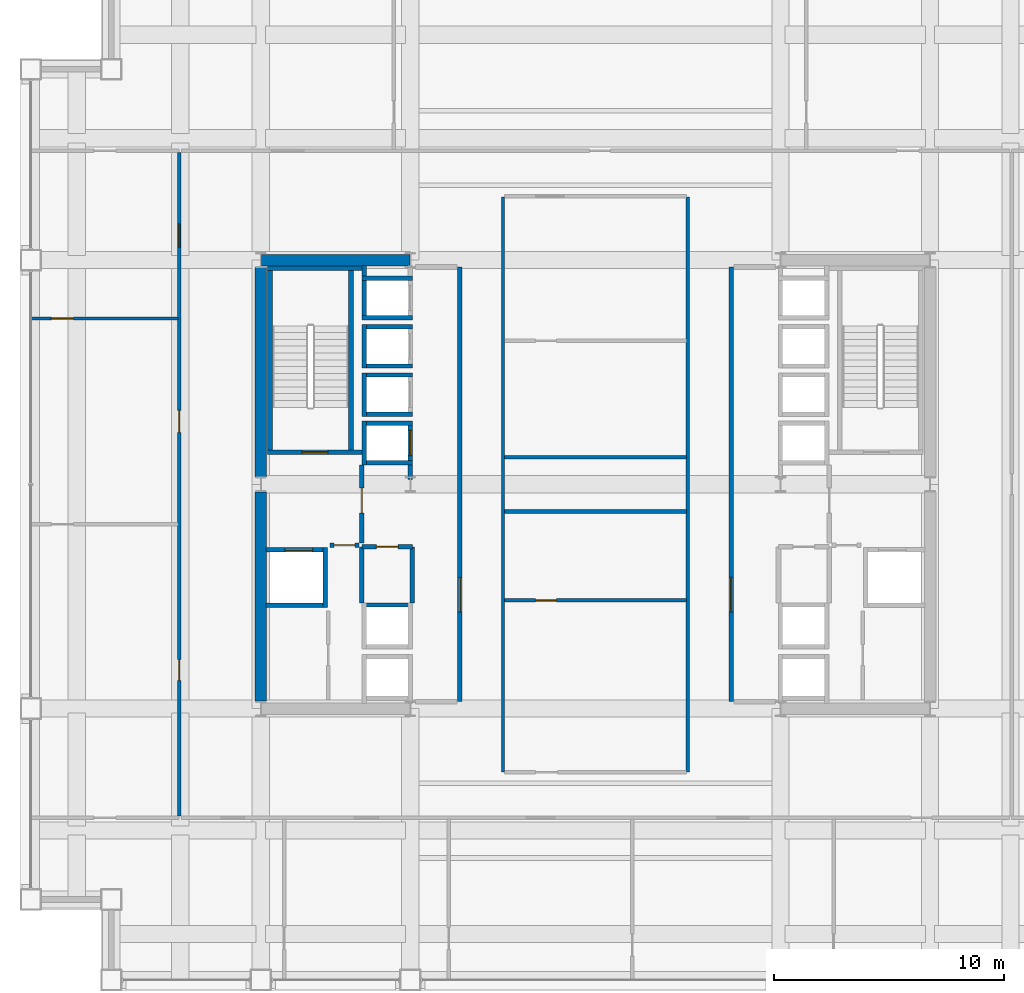
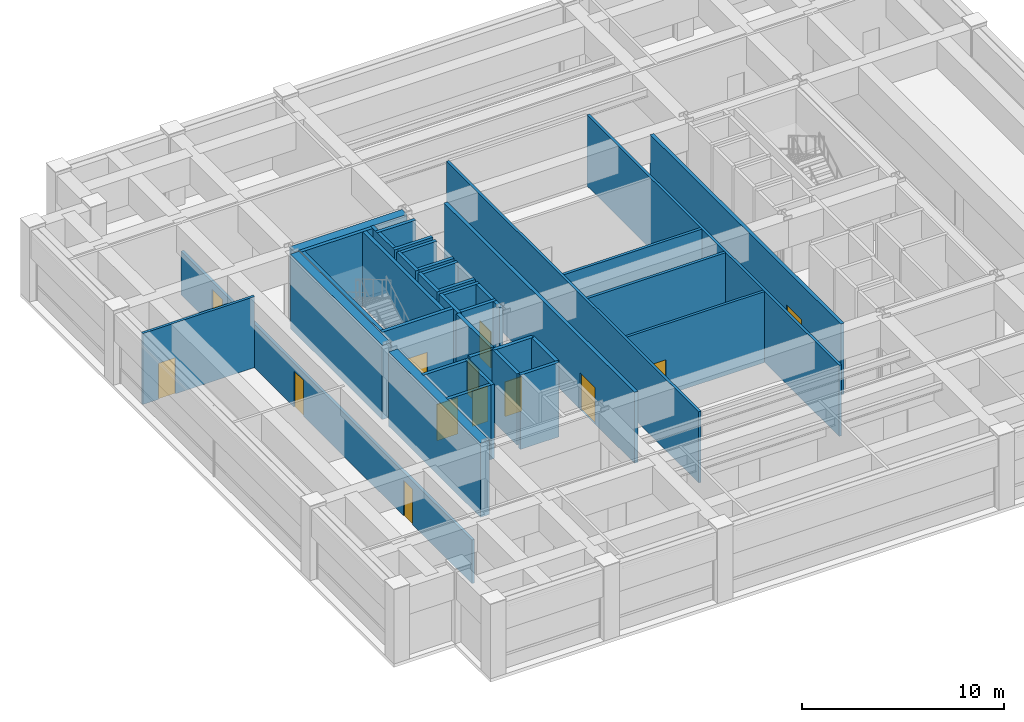
# One storey, part 26 of 29: 38 walls, 13 doors, 13 openings.
"""IFC4 building model written with IfcOpenShell, lengths in metres."""

from ifc_helpers import new_model, si_unit, direction, frame, frame_2d, origin, place, context, subcontext, project, spatial, rectangle, extrude, material, layer, layer_set, type_object, element, fill, save


model = new_model("IFC4")

# Units and contexts
model_context = context("Model", 3, precision=1e-05, world=origin(), true_north=direction((0.0, 1.0)))
body_context = subcontext(model_context, "Body", "Model", "MODEL_VIEW")
ifc_project = project(units=[si_unit("LENGTHUNIT", "METRE"), si_unit("AREAUNIT", "SQUARE_METRE"), si_unit("VOLUMEUNIT", "CUBIC_METRE"), si_unit("PLANEANGLEUNIT", "RADIAN"), si_unit("MASSUNIT", "GRAM", prefix="KILO")], contexts=[model_context])

# Site, building, storey
site_placement = place(None, origin())
site = spatial("IfcSite", under=ifc_project, at=site_placement, CompositionType="ELEMENT")
building_placement = place(site_placement, origin())
building = spatial("IfcBuilding", under=site, at=building_placement, Name="Brelmoor Portico Tower", CompositionType="ELEMENT")
storey_placement = place(building_placement, frame((0.0, 0.0, 82.800048828125)))
storey = spatial("IfcBuildingStorey", under=building, at=storey_placement, Name="L21", CompositionType="ELEMENT", Elevation=82.800048828125)

# Walls
ifc_material_1 = material(Name="Concrete C60", Category="concrete")
ifc_layer_1 = layer(ifc_material_1, 0.5)
ifc_layer_set_1 = layer_set([ifc_layer_1], Name="Concrete C60")
wall_type_1 = type_object("IfcWallType", Name="WL-CORE-500", PredefinedType="SHEAR", material=ifc_layer_set_1)
wall_1_placement = place(storey_placement, frame((-14.530029296875, 9.75, -0.199951171875), z_axis=(0.0, 0.0, 1.0), x_axis=(1.0, 0.0, 0.0)))
element("IfcWall", 1, at=wall_1_placement, inside=storey, type_object=wall_type_1, Name="L21 WC North Shear Wall", PredefinedType="SHEAR", context=body_context, shape_type="SweptSolid", body=[
    extrude(rectangle(XDim=6.4599609375, YDim=0.5, at=frame_2d((3.22998046875, 0.0))), origin(), (0.0, 0.0, 1.0), 4.5),
])
for number, where, z_axis, x_axis, name in (
    (2, (-14.550048828125, -9.425048828125, -0.199951171875), (0.0, 0.0, 1.0), (0.0, 1.0, 0.0), "L21 WC Outer South Shear Wall"),
    (3, (-14.550048828125, 0.324951171875, -0.199951171875), (0.0, 0.0, 1.0), (0.0, 1.0, 0.0), "L21 WC Outer North Shear Wall"),
):
    element("IfcWall", number, at=place(storey_placement, frame(where, z_axis=z_axis, x_axis=x_axis)), inside=storey, type_object=wall_type_1, Name=name, PredefinedType="SHEAR", context=body_context, shape_type="SweptSolid", body=[
        extrude(rectangle(XDim=9.10009765625, YDim=0.5, at=frame_2d((4.550048828125, 0.0))), origin(), (0.0, 0.0, 1.0), 4.5),
    ])
ifc_material_2 = material(Name="Wet-Area Moisture-Resistant Partition", Category="gypsum")
ifc_layer_2 = layer(ifc_material_2, 0.14990234375)
ifc_layer_set_2 = layer_set([ifc_layer_2], Name="Wet-Area Moisture-Resistant Partition")
wall_type_2 = type_object("IfcWallType", Name="WL-PART-150", PredefinedType="PARTITIONING", material=ifc_layer_set_2)
for number, where, z_axis, x_axis, name in (
    (4, (-4.02001953125, -12.5, 0.0), (0.0, 0.0, 1.0), (0.0, 1.0, 0.0), "L21 Central Suite West Wall"),
    (5, (4.02001953125, -12.5, 0.0), (0.0, 0.0, 1.0), (0.0, 1.0, 0.0), "L21 Central Suite East Wall"),
):
    element("IfcWall", number, at=place(storey_placement, frame(where, z_axis=z_axis, x_axis=x_axis)), inside=storey, type_object=wall_type_2, Name=name, PredefinedType="PARTITIONING", context=body_context, shape_type="SweptSolid", body=[
        extrude(rectangle(XDim=25.0, YDim=0.14990234375, at=frame_2d((12.5, 0.0))), origin(), (0.0, 0.0, 1.0), 4.300048828125),
    ])

# Wall, opening, door
wall_2_placement = place(storey_placement, frame((-3.949951171875, -5.050048828125, 0.0), z_axis=(0.0, 0.0, 1.0), x_axis=(1.0, 0.0, 0.0)))
wall_2 = element("IfcWall", 6, at=wall_2_placement, inside=storey, type_object=wall_type_2, Name="L21 Central Print Divider", PredefinedType="PARTITIONING", context=body_context, shape_type="SweptSolid", body=[
    extrude(rectangle(XDim=7.89990234375, YDim=0.14990234375, at=frame_2d((3.949951171875, 0.0))), origin(), (0.0, 0.0, 1.0), 4.300048828125),
])
opening_1_placement = place(wall_2_placement, frame((1.35009765625, 0.0, 0.0)))
opening_1 = element("IfcOpeningElement", 7, at=opening_1_placement, cuts=wall_2, Name="Opening D-IN1", PredefinedType="OPENING", context=body_context, shape_type="SweptSolid", body=[
    extrude(rectangle(XDim=0.89990234375, YDim=2.14990234375, at=frame_2d((0.449951171875, 1.074951171875))), frame((0.0, 0.0849609375, 0.0), z_axis=(0.0, -1.0, 0.0), x_axis=(1.0, 0.0, 0.0)), (0.0, 0.0, 1.0), 0.169921875),
])
ifc_material_3 = material(Name="Lacquered Timber Suite Door", Category="wood")
door_type_1 = type_object("IfcDoorType", Name="DR-INT-900", OperationType="NOTDEFINED", PredefinedType="DOOR", material=ifc_material_3)
door_1_placement = place(opening_1_placement, origin())
door_1 = element("IfcDoor", 8, at=door_1_placement, inside=storey, type_object=door_type_1, Name="D-0930 L21 Central Print Studio Door", OperationType="SINGLE_SWING_RIGHT", OverallHeight=2.14990234375, OverallWidth=0.89990234375, PredefinedType="DOOR", context=body_context, shape_type="SweptSolid", body=[
    extrude(rectangle(XDim=0.89990234375, YDim=2.14990234375, at=frame_2d((0.449951171875, 1.074951171875))), frame((0.0, 0.02490234375, 0.0), z_axis=(0.0, -1.0, 0.0), x_axis=(1.0, 0.0, 0.0)), (0.0, 0.0, 1.0), 0.050048828125),
])
fill(opening_1, door_1)

wall_3_placement = place(storey_placement, frame((-24.56005859375, 7.2099609375, 0.0), z_axis=(0.0, 0.0, 1.0), x_axis=(1.0, 0.0, 0.0)))
wall_3 = element("IfcWall", 9, at=wall_3_placement, inside=storey, type_object=wall_type_2, Name="L21 W Wing Partition 2", PredefinedType="PARTITIONING", context=body_context, shape_type="SweptSolid", body=[
    extrude(rectangle(XDim=6.400146484375, YDim=0.14990234375, at=frame_2d((3.2001953125, 0.0))), origin(), (0.0, 0.0, 1.0), 4.300048828125),
])
opening_2_placement = place(wall_3_placement, frame((0.89990234375, 0.0, 0.0)))
opening_2 = element("IfcOpeningElement", 10, at=opening_2_placement, cuts=wall_3, Name="Opening D-IN2", PredefinedType="OPENING", context=body_context, shape_type="SweptSolid", body=[
    extrude(rectangle(XDim=0.9599609375, YDim=2.179931640625, at=frame_2d((0.47998046875, 1.08984375))), frame((0.0, 0.0849609375, 0.0), z_axis=(0.0, -1.0, 0.0), x_axis=(1.0, 0.0, 0.0)), (0.0, 0.0, 1.0), 0.169921875),
])
door_type_2 = type_object("IfcDoorType", Name="DR-INT-950", OperationType="NOTDEFINED", PredefinedType="DOOR", material=ifc_material_3)
door_2_placement = place(opening_2_placement, origin())
door_2 = element("IfcDoor", 11, at=door_2_placement, inside=storey, type_object=door_type_2, Name="D-0966 L21 W Wing Suite Connecting Door 2", OperationType="SINGLE_SWING_RIGHT", OverallHeight=2.179931640625, OverallWidth=0.9599609375, PredefinedType="DOOR", context=body_context, shape_type="SweptSolid", body=[
    extrude(rectangle(XDim=0.9599609375, YDim=2.179931640625, at=frame_2d((0.47998046875, 1.08984375))), frame((0.0, 0.02490234375, 0.0), z_axis=(0.0, -1.0, 0.0), x_axis=(1.0, 0.0, 0.0)), (0.0, 0.0, 1.0), 0.050048828125),
])
fill(opening_2, door_2)

# Walls
ifc_material_4 = material(Name="Twin-Frame Acoustic Partition", Category="gypsum")
ifc_layer_3 = layer(ifc_material_4, 0.159912109375)
ifc_layer_set_3 = layer_set([ifc_layer_3], Name="Twin-Frame Acoustic Partition")
wall_type_3 = type_object("IfcWallType", Name="WL-PART-160", PredefinedType="PARTITIONING", material=ifc_layer_set_3)
for number, where, z_axis, x_axis, name in (
    (12, (-3.949951171875, 1.179931640625, 0.0), (0.0, 0.0, 1.0), (1.0, 0.0, 0.0), "L21 Central Meeting South Wall"),
    (13, (-3.949951171875, -1.179931640625, 0.0), (0.0, 0.0, 1.0), (1.0, 0.0, 0.0), "L21 Central Pantry North Wall"),
):
    element("IfcWall", number, at=place(storey_placement, frame(where, z_axis=z_axis, x_axis=x_axis)), inside=storey, type_object=wall_type_3, Name=name, PredefinedType="PARTITIONING", context=body_context, shape_type="SweptSolid", body=[
        extrude(rectangle(XDim=7.89990234375, YDim=0.159912109375, at=frame_2d((3.949951171875, 0.0))), origin(), (0.0, 0.0, 1.0), 4.300048828125),
    ])

# Wall, openings, doors
wall_4_placement = place(storey_placement, frame((-18.10009765625, -14.419921875, 0.0), z_axis=(0.0, 0.0, 1.0), x_axis=(0.0, 1.0, 0.0)))
wall_4 = element("IfcWall", 14, at=wall_4_placement, inside=storey, type_object=wall_type_3, Name="L21 W Wing Corridor Wall", PredefinedType="PARTITIONING", context=body_context, shape_type="SweptSolid", body=[
    extrude(rectangle(XDim=28.83984375, YDim=0.159912109375, at=frame_2d((14.419921875, 0.0))), origin(), (0.0, 0.0, 1.0), 2.639892578125),
])
opening_3_placement = place(wall_4_placement, frame((5.894775390625, 0.0, 0.0)))
opening_3 = element("IfcOpeningElement", 15, at=opening_3_placement, cuts=wall_4, Name="Opening D-IN1", PredefinedType="OPENING", context=body_context, shape_type="SweptSolid", body=[
    extrude(rectangle(XDim=0.89990234375, YDim=2.14990234375, at=frame_2d((0.449951171875, 1.074951171875))), frame((0.0, 0.08984375, 0.0), z_axis=(0.0, -1.0, 0.0), x_axis=(1.0, 0.0, 0.0)), (0.0, 0.0, 1.0), 0.179931640625),
])
opening_4_placement = place(wall_4_placement, frame((16.6796875, 0.0, 0.0)))
opening_4 = element("IfcOpeningElement", 16, at=opening_4_placement, cuts=wall_4, Name="Opening D-IN2", PredefinedType="OPENING", context=body_context, shape_type="SweptSolid", body=[
    extrude(rectangle(XDim=0.9599609375, YDim=2.179931640625, at=frame_2d((0.47998046875, 1.08984375))), frame((0.0, 0.08984375, 0.0), z_axis=(0.0, -1.0, 0.0), x_axis=(1.0, 0.0, 0.0)), (0.0, 0.0, 1.0), 0.179931640625),
])
opening_5_placement = place(wall_4_placement, frame((24.72509765625, 0.0, 0.0)))
opening_5 = element("IfcOpeningElement", 17, at=opening_5_placement, cuts=wall_4, Name="Opening D-OF1", PredefinedType="OPENING", context=body_context, shape_type="SweptSolid", body=[
    extrude(rectangle(XDim=1.02001953125, YDim=2.199951171875, at=frame_2d((0.510009765625, 1.10009765625))), frame((0.0, 0.08984375, 0.0), z_axis=(0.0, -1.0, 0.0), x_axis=(1.0, 0.0, 0.0)), (0.0, 0.0, 1.0), 0.179931640625),
])
door_3_placement = place(opening_3_placement, origin())
door_3 = element("IfcDoor", 18, at=door_3_placement, inside=storey, type_object=door_type_1, Name="D-0962 L21 W Staff Wellness Studio 1 Door", OperationType="SINGLE_SWING_LEFT", OverallHeight=2.14990234375, OverallWidth=0.89990234375, PredefinedType="DOOR", context=body_context, shape_type="SweptSolid", body=[
    extrude(rectangle(XDim=0.89990234375, YDim=2.14990234375, at=frame_2d((0.449951171875, 1.074951171875))), frame((0.0, 0.02490234375, 0.0), z_axis=(0.0, -1.0, 0.0), x_axis=(1.0, 0.0, 0.0)), (0.0, 0.0, 1.0), 0.050048828125),
])
fill(opening_3, door_3)
door_4_placement = place(opening_4_placement, origin())
door_4 = element("IfcDoor", 19, at=door_4_placement, inside=storey, type_object=door_type_2, Name="D-0963 L21 W Technical Archive Store 2 Door", OperationType="SINGLE_SWING_RIGHT", OverallHeight=2.179931640625, OverallWidth=0.9599609375, PredefinedType="DOOR", context=body_context, shape_type="SweptSolid", body=[
    extrude(rectangle(XDim=0.9599609375, YDim=2.179931640625, at=frame_2d((0.47998046875, 1.08984375))), frame((0.0, 0.02490234375, 0.0), z_axis=(0.0, -1.0, 0.0), x_axis=(1.0, 0.0, 0.0)), (0.0, 0.0, 1.0), 0.050048828125),
])
fill(opening_4, door_4)
ifc_material_5 = material(Name="Hardwood Acoustic Veneer Door", Category="wood")
door_type_3 = type_object("IfcDoorType", Name="DR-OFFICE-1000", OperationType="NOTDEFINED", PredefinedType="DOOR", material=ifc_material_5)
door_5_placement = place(opening_5_placement, origin())
door_5 = element("IfcDoor", 20, at=door_5_placement, inside=storey, type_object=door_type_3, Name="D-0964 L21 W Client Reception Room 3 Door", OperationType="SINGLE_SWING_LEFT", OverallHeight=2.199951171875, OverallWidth=1.02001953125, PredefinedType="DOOR", context=body_context, shape_type="SweptSolid", body=[
    extrude(rectangle(XDim=1.02001953125, YDim=2.199951171875, at=frame_2d((0.510009765625, 1.10009765625))), frame((0.0, 0.02490234375, 0.0), z_axis=(0.0, -1.0, 0.0), x_axis=(1.0, 0.0, 0.0)), (0.0, 0.0, 1.0), 0.050048828125),
])
fill(opening_5, door_5)

# Wall, opening, door
ifc_material_6 = material(Name="Double-Stud Gypsum Fire Partition", Category="gypsum")
ifc_layer_4 = layer(ifc_material_6, 0.199951171875)
ifc_layer_set_4 = layer_set([ifc_layer_4], Name="Double-Stud Gypsum Fire Partition")
wall_type_4 = type_object("IfcWallType", Name="WL-PART-200", PredefinedType="PARTITIONING", material=ifc_layer_set_4)
wall_5_placement = place(storey_placement, frame((-5.89990234375, -9.449951171875, 0.0), z_axis=(0.0, 0.0, 1.0), x_axis=(0.0, 1.0, 0.0)))
wall_5 = element("IfcWall", 21, at=wall_5_placement, inside=storey, type_object=wall_type_4, Name="L21 W Core Lobby Compartment Wall", PredefinedType="PARTITIONING", context=body_context, shape_type="SweptSolid", body=[
    extrude(rectangle(XDim=18.89990234375, YDim=0.199951171875, at=frame_2d((9.449951171875, 0.0))), origin(), (0.0, 0.0, 1.0), 4.300048828125),
])
opening_6_placement = place(wall_5_placement, frame((3.89990234375, 0.0, 0.0)))
opening_6 = element("IfcOpeningElement", 22, at=opening_6_placement, cuts=wall_5, Name="Opening D-LB1", PredefinedType="OPENING", context=body_context, shape_type="SweptSolid", body=[
    extrude(rectangle(XDim=1.5, YDim=2.199951171875, at=frame_2d((0.75, 1.10009765625))), frame((0.0, 0.10986328125, 0.0), z_axis=(0.0, -1.0, 0.0), x_axis=(1.0, 0.0, 0.0)), (0.0, 0.0, 1.0), 0.219970703125),
])
ifc_material_7 = material(Name="Double-Leaf Glazed Steel Fire Door", Category="steel")
door_type_4 = type_object("IfcDoorType", Name="DR-LOBBY-1500", OperationType="NOTDEFINED", PredefinedType="DOOR", material=ifc_material_7)
door_6_placement = place(opening_6_placement, origin())
door_6 = element("IfcDoor", 23, at=door_6_placement, inside=storey, type_object=door_type_4, Name="D-0940 L21 W Lift Lobby Main Door", OperationType="DOUBLE_DOOR_SINGLE_SWING", OverallHeight=2.199951171875, OverallWidth=1.5, PredefinedType="DOOR", context=body_context, shape_type="SweptSolid", body=[
    extrude(rectangle(XDim=1.5, YDim=2.199951171875, at=frame_2d((0.75, 1.10009765625))), frame((0.0, 0.02490234375, 0.0), z_axis=(0.0, -1.0, 0.0), x_axis=(1.0, 0.0, 0.0)), (0.0, 0.0, 1.0), 0.050048828125),
])
fill(opening_6, door_6)

wall_6_placement = place(storey_placement, frame((-10.159912109375, -2.550048828125, 0.0), z_axis=(0.0, 0.0, 1.0), x_axis=(0.0, 1.0, 0.0)))
wall_6 = element("IfcWall", 24, at=wall_6_placement, inside=storey, type_object=wall_type_4, Name="L21 W Firefighting Lobby Wall", PredefinedType="PARTITIONING", context=body_context, shape_type="SweptSolid", body=[
    extrude(rectangle(XDim=3.400146484375, YDim=0.199951171875, at=frame_2d((1.7001953125, 0.0))), origin(), (0.0, 0.0, 1.0), 4.300048828125),
])
opening_7_placement = place(wall_6_placement, frame((1.300048828125, 0.0, 0.0)))
opening_7 = element("IfcOpeningElement", 25, at=opening_7_placement, cuts=wall_6, Name="Opening D-FR1", PredefinedType="OPENING", context=body_context, shape_type="SweptSolid", body=[
    extrude(rectangle(XDim=1.10009765625, YDim=2.14990234375, at=frame_2d((0.550048828125, 1.074951171875))), frame((0.0, 0.10986328125, 0.0), z_axis=(0.0, -1.0, 0.0), x_axis=(1.0, 0.0, 0.0)), (0.0, 0.0, 1.0), 0.219970703125),
])
ifc_material_8 = material(Name="Painted Galvanised Steel Fire Door", Category="steel")
door_type_5 = type_object("IfcDoorType", Name="DR-FIRE-1100", OperationType="NOTDEFINED", PredefinedType="DOOR", material=ifc_material_8)
door_7_placement = place(opening_7_placement, origin())
door_7 = element("IfcDoor", 26, at=door_7_placement, inside=storey, type_object=door_type_5, Name="D-0938 L21 W Firefighting Lobby Door", OperationType="SINGLE_SWING_LEFT", OverallHeight=2.14990234375, OverallWidth=1.10009765625, PredefinedType="DOOR", context=body_context, shape_type="SweptSolid", body=[
    extrude(rectangle(XDim=1.10009765625, YDim=2.14990234375, at=frame_2d((0.550048828125, 1.074951171875))), frame((0.0, 0.02490234375, 0.0), z_axis=(0.0, -1.0, 0.0), x_axis=(1.0, 0.0, 0.0)), (0.0, 0.0, 1.0), 0.050048828125),
])
fill(opening_7, door_7)

wall_7_placement = place(storey_placement, frame((-10.280029296875, -2.64990234375, 0.0), z_axis=(0.0, 0.0, 1.0), x_axis=(-1.0, 0.0, 0.0)))
wall_7 = element("IfcWall", 27, at=wall_7_placement, inside=storey, type_object=wall_type_4, Name="L21 W Firefighting Lobby South Wall", PredefinedType="PARTITIONING", context=body_context, shape_type="SweptSolid", body=[
    extrude(rectangle(XDim=1.27001953125, YDim=0.199951171875, at=frame_2d((0.635009765625, 0.0))), origin(), (0.0, 0.0, 1.0), 4.300048828125),
])
opening_8_placement = place(wall_7_placement, frame((0.18505859375, 0.0, 0.0)))
opening_8 = element("IfcOpeningElement", 28, at=opening_8_placement, cuts=wall_7, Name="Opening D-IN1", PredefinedType="OPENING", context=body_context, shape_type="SweptSolid", body=[
    extrude(rectangle(XDim=0.89990234375, YDim=2.14990234375, at=frame_2d((0.449951171875, 1.074951171875))), frame((0.0, 0.10986328125, 0.0), z_axis=(0.0, -1.0, 0.0), x_axis=(1.0, 0.0, 0.0)), (0.0, 0.0, 1.0), 0.219970703125),
])
door_8_placement = place(opening_8_placement, origin())
door_8 = element("IfcDoor", 29, at=door_8_placement, inside=storey, type_object=door_type_1, Name="D-0933 L21 W Core Service Vestibule Door", OperationType="SINGLE_SWING_RIGHT", OverallHeight=2.14990234375, OverallWidth=0.89990234375, PredefinedType="DOOR", context=body_context, shape_type="SweptSolid", body=[
    extrude(rectangle(XDim=0.89990234375, YDim=2.14990234375, at=frame_2d((0.449951171875, 1.074951171875))), frame((0.0, 0.02490234375, 0.0), z_axis=(0.0, -1.0, 0.0), x_axis=(1.0, 0.0, 0.0)), (0.0, 0.0, 1.0), 0.050048828125),
])
fill(opening_8, door_8)

wall_8_placement = place(storey_placement, frame((-7.9599609375, -2.719970703125, 0.0), z_axis=(0.0, 0.0, 1.0), x_axis=(-1.0, 0.0, 0.0)))
wall_8 = element("IfcWall", 30, at=wall_8_placement, inside=storey, type_object=wall_type_4, Name="L21 W Electrical Switchgear Closet Wall", PredefinedType="PARTITIONING", context=body_context, shape_type="SweptSolid", body=[
    extrude(rectangle(XDim=2.199951171875, YDim=0.199951171875, at=frame_2d((1.10009765625, 0.0))), origin(), (0.0, 0.0, 1.0), 4.300048828125),
])
opening_9_placement = place(wall_8_placement, frame((0.6201171875, 0.0, 0.0)))
opening_9 = element("IfcOpeningElement", 31, at=opening_9_placement, cuts=wall_8, Name="Opening D-FR4", PredefinedType="OPENING", context=body_context, shape_type="SweptSolid", body=[
    extrude(rectangle(XDim=0.949951171875, YDim=2.10009765625, at=frame_2d((0.47509765625, 1.050048828125))), frame((0.0, 0.10986328125, 0.0), z_axis=(0.0, -1.0, 0.0), x_axis=(1.0, 0.0, 0.0)), (0.0, 0.0, 1.0), 0.219970703125),
])
ifc_material_9 = material(Name="Painted Galvanised Steel Riser Door", Category="steel")
door_type_6 = type_object("IfcDoorType", Name="DR-FIRE-950", OperationType="NOTDEFINED", PredefinedType="DOOR", material=ifc_material_9)
door_9_placement = place(opening_9_placement, origin())
door_9 = element("IfcDoor", 32, at=door_9_placement, inside=storey, type_object=door_type_6, Name="D-0936 L21 W Electrical Switchgear Closet Door", OperationType="SINGLE_SWING_LEFT", OverallHeight=2.10009765625, OverallWidth=0.949951171875, PredefinedType="DOOR", context=body_context, shape_type="SweptSolid", body=[
    extrude(rectangle(XDim=0.949951171875, YDim=2.10009765625, at=frame_2d((0.47509765625, 1.050048828125))), frame((0.0, 0.02490234375, 0.0), z_axis=(0.0, -1.0, 0.0), x_axis=(1.0, 0.0, 0.0)), (0.0, 0.0, 1.0), 0.050048828125),
])
fill(opening_9, door_9)

# Walls
for number, where, z_axis, x_axis, name in (
    (33, (-7.9599609375, -5.159912109375, 0.0), (0.0, 0.0, 1.0), (0.0, 1.0, 0.0), "L21 W Electrical Switchgear Closet Inner Wall"),
    (34, (-10.159912109375, -5.159912109375, 0.0), (0.0, 0.0, 1.0), (0.0, 1.0, 0.0), "L21 W Electrical Switchgear Closet Outer Wall"),
):
    element("IfcWall", number, at=place(storey_placement, frame(where, z_axis=z_axis, x_axis=x_axis)), inside=storey, type_object=wall_type_4, Name=name, PredefinedType="PARTITIONING", context=body_context, shape_type="SweptSolid", body=[
        extrude(rectangle(XDim=2.43994140625, YDim=0.199951171875, at=frame_2d((1.219970703125, 0.0))), origin(), (0.0, 0.0, 1.0), 4.300048828125),
    ])

# Wall, opening, door
wall_9_placement = place(storey_placement, frame((5.89990234375, -9.449951171875, 0.0), z_axis=(0.0, 0.0, 1.0), x_axis=(0.0, 1.0, 0.0)))
wall_9 = element("IfcWall", 35, at=wall_9_placement, inside=storey, type_object=wall_type_4, Name="L21 E Core Lobby Compartment Wall", PredefinedType="PARTITIONING", context=body_context, shape_type="SweptSolid", body=[
    extrude(rectangle(XDim=18.89990234375, YDim=0.199951171875, at=frame_2d((9.449951171875, 0.0))), origin(), (0.0, 0.0, 1.0), 4.300048828125),
])
opening_10_placement = place(wall_9_placement, frame((3.89990234375, 0.0, 0.0)))
opening_10 = element("IfcOpeningElement", 36, at=opening_10_placement, cuts=wall_9, Name="Opening D-LB1", PredefinedType="OPENING", context=body_context, shape_type="SweptSolid", body=[
    extrude(rectangle(XDim=1.5, YDim=2.199951171875, at=frame_2d((0.75, 1.10009765625))), frame((0.0, 0.10986328125, 0.0), z_axis=(0.0, -1.0, 0.0), x_axis=(1.0, 0.0, 0.0)), (0.0, 0.0, 1.0), 0.219970703125),
])
door_10_placement = place(opening_10_placement, origin())
door_10 = element("IfcDoor", 37, at=door_10_placement, inside=storey, type_object=door_type_4, Name="D-0939 L21 E Lift Lobby Main Door", OperationType="DOUBLE_DOOR_SINGLE_SWING", OverallHeight=2.199951171875, OverallWidth=1.5, PredefinedType="DOOR", context=body_context, shape_type="SweptSolid", body=[
    extrude(rectangle(XDim=1.5, YDim=2.199951171875, at=frame_2d((0.75, 1.10009765625))), frame((0.0, 0.02490234375, 0.0), z_axis=(0.0, -1.0, 0.0), x_axis=(1.0, 0.0, 0.0)), (0.0, 0.0, 1.0), 0.050048828125),
])
fill(opening_10, door_10)

ifc_material_10 = material(Name="Precast Concrete C40", Category="concrete")
ifc_layer_5 = layer(ifc_material_10, 0.18994140625)
ifc_layer_set_5 = layer_set([ifc_layer_5], Name="Precast Concrete C40")
wall_type_5 = type_object("IfcWallType", Name="WL-SHAFT-180", PredefinedType="SOLIDWALL", material=ifc_layer_set_5)
wall_10_placement = place(storey_placement, frame((-8.044921875, 0.2099609375, -0.199951171875), z_axis=(0.0, 0.0, 1.0), x_axis=(0.0, 1.0, 0.0)))
wall_10 = element("IfcWall", 38, at=wall_10_placement, inside=storey, type_object=wall_type_5, Name="L21 Lift PL1 Hoistway Front Wall", PredefinedType="SOLIDWALL", context=body_context, shape_type="SweptSolid", body=[
    extrude(rectangle(XDim=2.5400390625, YDim=0.18994140625, at=frame_2d((1.27001953125, 0.0))), origin(), (0.0, 0.0, 1.0), 4.5),
])
opening_11_placement = place(wall_10_placement, frame((1.0400390625, 0.0, 0.199951171875)))
opening_11 = element("IfcOpeningElement", 39, at=opening_11_placement, cuts=wall_10, Name="Opening LD-01", PredefinedType="OPENING", context=body_context, shape_type="SweptSolid", body=[
    extrude(rectangle(XDim=1.10009765625, YDim=2.199951171875, at=frame_2d((0.550048828125, 1.10009765625))), frame((0.0, 0.10498046875, 0.0), z_axis=(0.0, -1.0, 0.0), x_axis=(1.0, 0.0, 0.0)), (0.0, 0.0, 1.0), 0.2099609375),
])
ifc_material_11 = material(Name="Brushed Stainless Steel Sliding Lift Door", Category="steel")
door_type_7 = type_object("IfcDoorType", Name="DR-LIFT-1100", OperationType="NOTDEFINED", PredefinedType="DOOR", material=ifc_material_11)
door_11_placement = place(opening_11_placement, origin())
door_11 = element("IfcDoor", 40, at=door_11_placement, inside=storey, type_object=door_type_7, Name="D-0969 L21 Lift PL1 Sliding Landing Door", OperationType="SLIDING_TO_LEFT", OverallHeight=2.199951171875, OverallWidth=1.10009765625, PredefinedType="DOOR", context=body_context, shape_type="SweptSolid", body=[
    extrude(rectangle(XDim=1.10009765625, YDim=2.199951171875, at=frame_2d((0.550048828125, 1.10009765625))), frame((0.0, 0.02490234375, 0.0), z_axis=(0.0, -1.0, 0.0), x_axis=(1.0, 0.0, 0.0)), (0.0, 0.0, 1.0), 0.050048828125),
])
fill(opening_11, door_11)

# Walls
wall_11_placement = place(storey_placement, frame((-10.054931640625, 0.85009765625, -0.199951171875), z_axis=(0.0, 0.0, 1.0), x_axis=(0.0, 1.0, 0.0)))
element("IfcWall", 41, at=wall_11_placement, inside=storey, type_object=wall_type_5, Name="L21 Lift PL1 Hoistway Back Wall", PredefinedType="SOLIDWALL", context=body_context, shape_type="SweptSolid", body=[
    extrude(rectangle(XDim=1.89990234375, YDim=0.18994140625, at=frame_2d((0.949951171875, 0.0))), origin(), (0.0, 0.0, 1.0), 4.5),
])
for number, where, z_axis, x_axis, name in (
    (42, (-10.14990234375, 2.655029296875, -0.199951171875), (0.0, 0.0, 1.0), (1.0, 0.0, 0.0), "L21 Lift PL1 Hoistway North Wall"),
    (43, (-10.14990234375, 0.945068359375, -0.199951171875), (0.0, 0.0, 1.0), (1.0, 0.0, 0.0), "L21 Lift PL1 Hoistway South Wall"),
):
    element("IfcWall", number, at=place(storey_placement, frame(where, z_axis=z_axis, x_axis=x_axis)), inside=storey, type_object=wall_type_5, Name=name, PredefinedType="SOLIDWALL", context=body_context, shape_type="SweptSolid", body=[
        extrude(rectangle(XDim=2.199951171875, YDim=0.18994140625, at=frame_2d((1.10009765625, 0.0))), origin(), (0.0, 0.0, 1.0), 4.5),
    ])
wall_12_placement = place(storey_placement, frame((-10.054931640625, 2.949951171875, -0.199951171875), z_axis=(0.0, 0.0, 1.0), x_axis=(0.0, 1.0, 0.0)))
element("IfcWall", 44, at=wall_12_placement, inside=storey, type_object=wall_type_5, Name="L21 Lift PL2 Hoistway Back Wall", PredefinedType="SOLIDWALL", context=body_context, shape_type="SweptSolid", body=[
    extrude(rectangle(XDim=1.900146484375, YDim=0.18994140625, at=frame_2d((0.9501953125, 0.0))), origin(), (0.0, 0.0, 1.0), 4.5),
])
for number, where, z_axis, x_axis, name in (
    (45, (-10.14990234375, 4.7548828125, -0.199951171875), (0.0, 0.0, 1.0), (1.0, 0.0, 0.0), "L21 Lift PL2 Hoistway North Wall"),
    (46, (-10.14990234375, 3.044921875, -0.199951171875), (0.0, 0.0, 1.0), (1.0, 0.0, 0.0), "L21 Lift PL2 Hoistway South Wall"),
):
    element("IfcWall", number, at=place(storey_placement, frame(where, z_axis=z_axis, x_axis=x_axis)), inside=storey, type_object=wall_type_5, Name=name, PredefinedType="SOLIDWALL", context=body_context, shape_type="SweptSolid", body=[
        extrude(rectangle(XDim=2.199951171875, YDim=0.18994140625, at=frame_2d((1.10009765625, 0.0))), origin(), (0.0, 0.0, 1.0), 4.5),
    ])
wall_13_placement = place(storey_placement, frame((-10.054931640625, 5.050048828125, -0.199951171875), z_axis=(0.0, 0.0, 1.0), x_axis=(0.0, 1.0, 0.0)))
element("IfcWall", 47, at=wall_13_placement, inside=storey, type_object=wall_type_5, Name="L21 Lift PL3 Hoistway Back Wall", PredefinedType="SOLIDWALL", context=body_context, shape_type="SweptSolid", body=[
    extrude(rectangle(XDim=1.89990234375, YDim=0.18994140625, at=frame_2d((0.949951171875, 0.0))), origin(), (0.0, 0.0, 1.0), 4.5),
])
for number, where, z_axis, x_axis, name in (
    (48, (-10.14990234375, 6.85498046875, -0.199951171875), (0.0, 0.0, 1.0), (1.0, 0.0, 0.0), "L21 Lift PL3 Hoistway North Wall"),
    (49, (-10.14990234375, 5.14501953125, -0.199951171875), (0.0, 0.0, 1.0), (1.0, 0.0, 0.0), "L21 Lift PL3 Hoistway South Wall"),
):
    element("IfcWall", number, at=place(storey_placement, frame(where, z_axis=z_axis, x_axis=x_axis)), inside=storey, type_object=wall_type_5, Name=name, PredefinedType="SOLIDWALL", context=body_context, shape_type="SweptSolid", body=[
        extrude(rectangle(XDim=2.199951171875, YDim=0.18994140625, at=frame_2d((1.10009765625, 0.0))), origin(), (0.0, 0.0, 1.0), 4.5),
    ])
wall_14_placement = place(storey_placement, frame((-10.054931640625, 7.14990234375, -0.199951171875), z_axis=(0.0, 0.0, 1.0), x_axis=(0.0, 1.0, 0.0)))
element("IfcWall", 50, at=wall_14_placement, inside=storey, type_object=wall_type_5, Name="L21 Lift PL4 Hoistway Back Wall", PredefinedType="SOLIDWALL", context=body_context, shape_type="SweptSolid", body=[
    extrude(rectangle(XDim=2.3701171875, YDim=0.18994140625, at=frame_2d((1.18505859375, 0.0))), origin(), (0.0, 0.0, 1.0), 4.5),
])
for number, where, z_axis, x_axis, name in (
    (51, (-10.14990234375, 8.955078125, -0.199951171875), (0.0, 0.0, 1.0), (1.0, 0.0, 0.0), "L21 Lift PL4 Hoistway North Wall"),
    (52, (-10.14990234375, 7.2451171875, -0.199951171875), (0.0, 0.0, 1.0), (1.0, 0.0, 0.0), "L21 Lift PL4 Hoistway South Wall"),
    (53, (-10.14990234375, -5.2451171875, -0.199951171875), (0.0, 0.0, 1.0), (1.0, 0.0, 0.0), "L21 Lift PH2 Hoistway North Wall"),
):
    element("IfcWall", number, at=place(storey_placement, frame(where, z_axis=z_axis, x_axis=x_axis)), inside=storey, type_object=wall_type_5, Name=name, PredefinedType="SOLIDWALL", context=body_context, shape_type="SweptSolid", body=[
        extrude(rectangle(XDim=2.199951171875, YDim=0.18994140625, at=frame_2d((1.10009765625, 0.0))), origin(), (0.0, 0.0, 1.0), 4.5),
    ])

# Wall, opening, door
wall_15_placement = place(storey_placement, frame((-14.330078125, -2.844970703125, -0.199951171875), z_axis=(0.0, 0.0, 1.0), x_axis=(1.0, 0.0, 0.0)))
wall_15 = element("IfcWall", 54, at=wall_15_placement, inside=storey, type_object=wall_type_5, Name="L21 Lift FF1 Hoistway Front Wall", PredefinedType="SOLIDWALL", context=body_context, shape_type="SweptSolid", body=[
    extrude(rectangle(XDim=2.68017578125, YDim=0.18994140625, at=frame_2d((1.340087890625, 0.0))), origin(), (0.0, 0.0, 1.0), 4.5),
])
opening_12_placement = place(wall_15_placement, frame((0.830078125, 0.0, 0.199951171875)))
opening_12 = element("IfcOpeningElement", 55, at=opening_12_placement, cuts=wall_15, Name="Opening LD-02", PredefinedType="OPENING", context=body_context, shape_type="SweptSolid", body=[
    extrude(rectangle(XDim=1.199951171875, YDim=2.199951171875, at=frame_2d((0.60009765625, 1.10009765625))), frame((0.0, 0.10498046875, 0.0), z_axis=(0.0, -1.0, 0.0), x_axis=(1.0, 0.0, 0.0)), (0.0, 0.0, 1.0), 0.2099609375),
])
ifc_material_12 = material(Name="Brushed Stainless Steel Firefighting Lift Door", Category="steel")
door_type_8 = type_object("IfcDoorType", Name="DR-LIFT-1200", OperationType="NOTDEFINED", PredefinedType="DOOR", material=ifc_material_12)
door_12_placement = place(opening_12_placement, origin())
door_12 = element("IfcDoor", 56, at=door_12_placement, inside=storey, type_object=door_type_8, Name="D-0967 L21 Lift FF1 Sliding Landing Door", OperationType="SLIDING_TO_LEFT", OverallHeight=2.199951171875, OverallWidth=1.199951171875, PredefinedType="DOOR", context=body_context, shape_type="SweptSolid", body=[
    extrude(rectangle(XDim=1.199951171875, YDim=2.199951171875, at=frame_2d((0.60009765625, 1.10009765625))), frame((0.0, 0.02490234375, 0.0), z_axis=(0.0, -1.0, 0.0), x_axis=(1.0, 0.0, 0.0)), (0.0, 0.0, 1.0), 0.050048828125),
])
fill(opening_12, door_12)

# Walls
wall_16_placement = place(storey_placement, frame((-14.330078125, -5.2548828125, -0.199951171875), z_axis=(0.0, 0.0, 1.0), x_axis=(1.0, 0.0, 0.0)))
element("IfcWall", 57, at=wall_16_placement, inside=storey, type_object=wall_type_5, Name="L21 Firefighting Lift FF1 South Wall", PredefinedType="SOLIDWALL", context=body_context, shape_type="SweptSolid", body=[
    extrude(rectangle(XDim=2.68017578125, YDim=0.18994140625, at=frame_2d((1.340087890625, 0.0))), origin(), (0.0, 0.0, 1.0), 4.5),
])
wall_17_placement = place(storey_placement, frame((-11.7451171875, -5.35009765625, -0.199951171875), z_axis=(0.0, 0.0, 1.0), x_axis=(0.0, 1.0, 0.0)))
element("IfcWall", 58, at=wall_17_placement, inside=storey, type_object=wall_type_5, Name="L21 Firefighting Lift FF1 Inner Wall", PredefinedType="SOLIDWALL", context=body_context, shape_type="SweptSolid", body=[
    extrude(rectangle(XDim=2.60009765625, YDim=0.18994140625, at=frame_2d((1.300048828125, 0.0))), origin(), (0.0, 0.0, 1.0), 4.5),
])
ifc_material_13 = material(Name="Concrete C40", Category="concrete")
ifc_layer_6 = layer(ifc_material_13, 0.199951171875)
ifc_layer_set_6 = layer_set([ifc_layer_6], Name="Concrete C40")
wall_type_6 = type_object("IfcWallType", Name="WL-SHAFT-RC200", PredefinedType="SOLIDWALL", material=ifc_layer_set_6)
wall_18_placement = place(storey_placement, frame((-14.14990234375, 1.5, -0.199951171875), z_axis=(0.0, 0.0, 1.0), x_axis=(0.0, 1.0, 0.0)))
element("IfcWall", 59, at=wall_18_placement, inside=storey, type_object=wall_type_6, Name="L21 ST-W Structural Stair Wall Outer", PredefinedType="SOLIDWALL", context=body_context, shape_type="SweptSolid", body=[
    extrude(rectangle(XDim=7.800048828125, YDim=0.199951171875, at=frame_2d((3.89990234375, 0.0))), origin(), (0.0, 0.0, 1.0), 4.5),
])

# Wall, opening, door
wall_19_placement = place(storey_placement, frame((-14.25, 1.39990234375, -0.199951171875), z_axis=(0.0, 0.0, 1.0), x_axis=(1.0, 0.0, 0.0)))
wall_19 = element("IfcWall", 60, at=wall_19_placement, inside=storey, type_object=wall_type_6, Name="L21 ST-W Structural Stair Wall S", PredefinedType="SOLIDWALL", context=body_context, shape_type="SweptSolid", body=[
    extrude(rectangle(XDim=4.10009765625, YDim=0.199951171875, at=frame_2d((2.050048828125, 0.0))), origin(), (0.0, 0.0, 1.0), 4.5),
])
opening_13_placement = place(wall_19_placement, frame((1.5, 0.0, 0.199951171875)))
opening_13 = element("IfcOpeningElement", 61, at=opening_13_placement, cuts=wall_19, Name="Opening D-ST1", PredefinedType="OPENING", context=body_context, shape_type="SweptSolid", body=[
    extrude(rectangle(XDim=1.1201171875, YDim=2.179931640625, at=frame_2d((0.56005859375, 1.08984375))), frame((0.0, 0.10986328125, 0.0), z_axis=(0.0, -1.0, 0.0), x_axis=(1.0, 0.0, 0.0)), (0.0, 0.0, 1.0), 0.219970703125),
])
door_type_9 = type_object("IfcDoorType", Name="DR-STAIR-1100", OperationType="NOTDEFINED", PredefinedType="DOOR", material=ifc_material_8)
door_13_placement = place(opening_13_placement, origin())
door_13 = element("IfcDoor", 62, at=door_13_placement, inside=storey, type_object=door_type_9, Name="D-0958 L21 ST-W Protected Exit Stair Door", OperationType="SINGLE_SWING_LEFT", OverallHeight=2.179931640625, OverallWidth=1.1201171875, PredefinedType="DOOR", context=body_context, shape_type="SweptSolid", body=[
    extrude(rectangle(XDim=1.1201171875, YDim=2.179931640625, at=frame_2d((0.56005859375, 1.08984375))), frame((0.0, 0.02490234375, 0.0), z_axis=(0.0, -1.0, 0.0), x_axis=(1.0, 0.0, 0.0)), (0.0, 0.0, 1.0), 0.050048828125),
])
fill(opening_13, door_13)

# Walls
wall_20_placement = place(storey_placement, frame((-14.25, 9.39990234375, -0.199951171875), z_axis=(0.0, 0.0, 1.0), x_axis=(1.0, 0.0, 0.0)))
element("IfcWall", 63, at=wall_20_placement, inside=storey, type_object=wall_type_6, Name="L21 ST-W Structural Stair Wall N", PredefinedType="SOLIDWALL", context=body_context, shape_type="SweptSolid", body=[
    extrude(rectangle(XDim=4.10009765625, YDim=0.199951171875, at=frame_2d((2.050048828125, 0.0))), origin(), (0.0, 0.0, 1.0), 4.5),
])
wall_21_placement = place(storey_placement, frame((-10.6298828125, 1.5, -0.199951171875), z_axis=(0.0, 0.0, 1.0), x_axis=(0.0, 1.0, 0.0)))
element("IfcWall", 64, at=wall_21_placement, inside=storey, type_object=wall_type_6, Name="L21 ST-W Structural Stair Wall Inner", PredefinedType="SOLIDWALL", context=body_context, shape_type="SweptSolid", body=[
    extrude(rectangle(XDim=7.800048828125, YDim=0.199951171875, at=frame_2d((3.89990234375, 0.0))), origin(), (0.0, 0.0, 1.0), 4.5),
])

save(model, "model.ifc")
